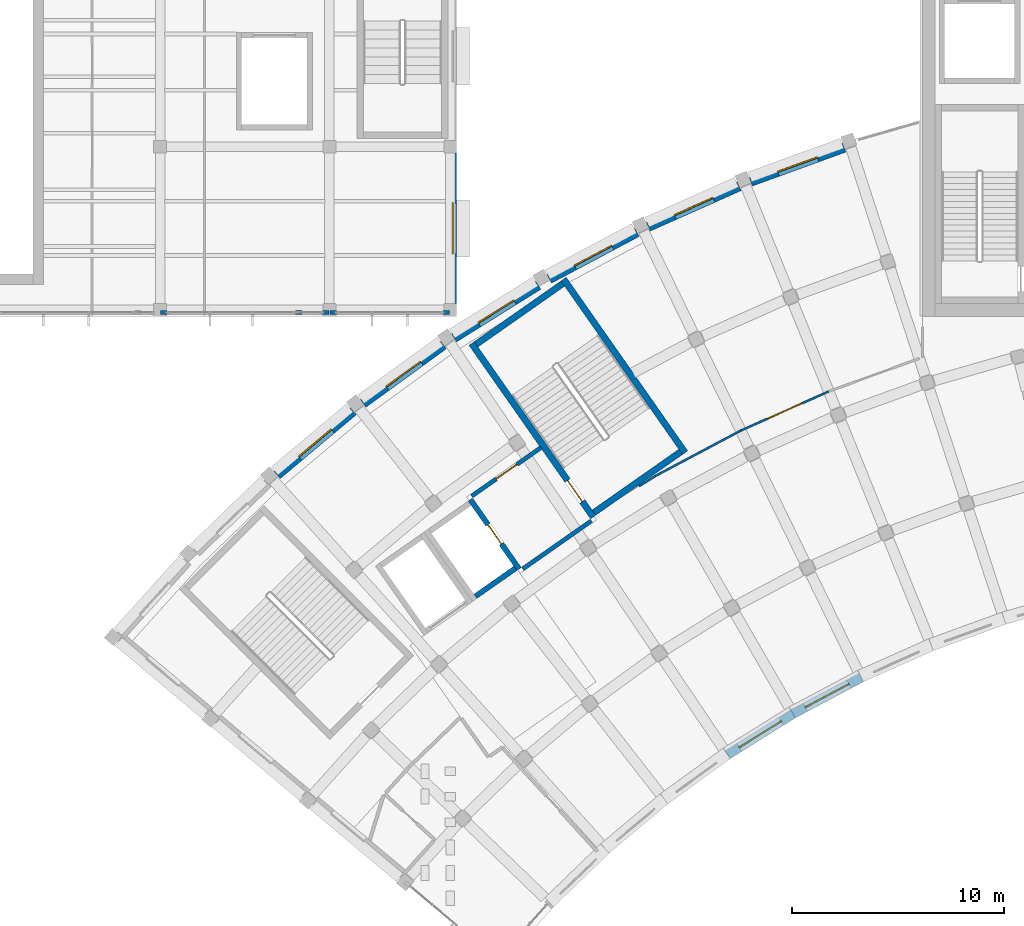
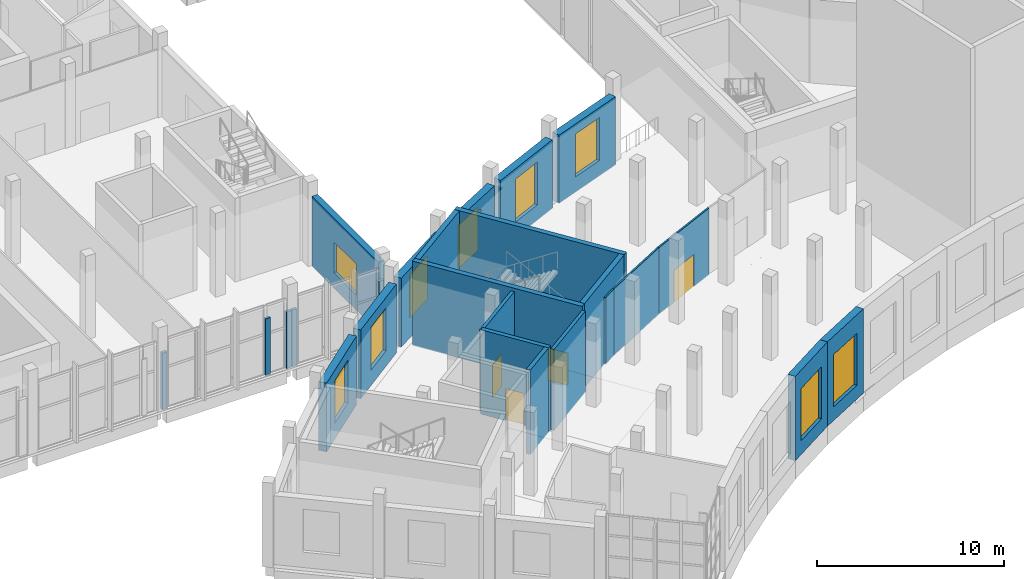
# One storey, part 32 of 87: 25 walls, 9 windows, 4 doors, 13 openings.
"""IFC4 building model written with IfcOpenShell, lengths in metres."""

from ifc_helpers import new_model, si_unit, direction, frame, frame_2d, origin, place, context, subcontext, project, spatial, rectangle, extrude, material, layer, layer_set, type_object, element, fill, save


model = new_model("IFC4")

# Units and contexts
model_context = context("Model", 3, precision=1e-05, world=origin(), true_north=direction((0.0, 1.0)))
body_context = subcontext(model_context, "Body", "Model", "MODEL_VIEW")
ifc_project = project(units=[si_unit("LENGTHUNIT", "METRE"), si_unit("AREAUNIT", "SQUARE_METRE"), si_unit("VOLUMEUNIT", "CUBIC_METRE"), si_unit("PLANEANGLEUNIT", "RADIAN"), si_unit("MASSUNIT", "GRAM", prefix="KILO")], contexts=[model_context])

# Site, building, storey
site_placement = place(None, origin())
site = spatial("IfcSite", under=ifc_project, at=site_placement, CompositionType="ELEMENT")
building_placement = place(site_placement, origin())
building = spatial("IfcBuilding", under=site, at=building_placement, Name="Lunette Opera House", CompositionType="ELEMENT")
storey_placement = place(building_placement, frame((0.0, 0.0, 11.5)))
storey = spatial("IfcBuildingStorey", under=building, at=storey_placement, Name="L02", CompositionType="ELEMENT", Elevation=11.5)

# Wall, opening, window
ifc_material_1 = material(Name="Clinker brick", Category="masonry")
ifc_layer_1 = layer(ifc_material_1, 0.449951171875)
ifc_layer_set_1 = layer_set([ifc_layer_1], Name="Clinker brick")
wall_type_1 = type_object("IfcWallType", Name="ARM RAIN SCREEN WALL 450", PredefinedType="SOLIDWALL", material=ifc_layer_set_1)
wall_1_placement = place(storey_placement, frame((45.527099609375, 56.5048828125, 0.0), z_axis=(0.0, 0.0, 1.0), x_axis=(0.765928460401, 0.642925807187, 0.0)))
wall_1 = element("IfcWall", 1, at=wall_1_placement, inside=storey, type_object=wall_type_1, Name="Arm Rain Screen Wall 450 BW-CW03 L02", PredefinedType="SOLIDWALL", context=body_context, shape_type="SweptSolid", body=[
    extrude(rectangle(XDim=4.688232421875, YDim=0.449951171875, at=frame_2d((2.34423828125, 0.0))), origin(), (0.0, 0.0, 1.0), 4.47998046875),
])
opening_1_placement = place(wall_1_placement, frame((1.343994140625, 0.0, 1.0)))
opening_1 = element("IfcOpeningElement", 2, at=opening_1_placement, cuts=wall_1, Name="Opening FC-N2118", PredefinedType="OPENING", context=body_context, shape_type="SweptSolid", body=[
    extrude(rectangle(XDim=2.0, YDim=2.800048828125, at=frame_2d((1.0, 1.39990234375))), frame((0.0, 0.237060546875, 0.0), z_axis=(0.0, -1.0, 0.0), x_axis=(1.0, 0.0, 0.0)), (0.0, 0.0, 1.0), 0.473876953125),
])
ifc_material_2 = material(Name="Aluminium", Category="aluminium")
window_type_1 = type_object("IfcWindowType", Name="ARM WINDOW 2000 X 2800", PartitioningType="DOUBLE_PANEL_VERTICAL", PredefinedType="WINDOW", material=ifc_material_2)
window_1_placement = place(opening_1_placement, origin())
window_1 = element("IfcWindow", 3, at=window_1_placement, inside=storey, type_object=window_type_1, Name="Arm Window 2000 X 2800 BW-CW03 L02", OverallHeight=2.800048828125, OverallWidth=2.0, PartitioningType="DOUBLE_PANEL_VERTICAL", PredefinedType="WINDOW", context=body_context, shape_type="SweptSolid", body=[
    extrude(rectangle(XDim=2.0, YDim=2.800048828125, at=frame_2d((1.0, 1.39990234375))), frame((0.0, 0.030029296875, 0.0), z_axis=(0.0, -1.0, 0.0), x_axis=(1.0, 0.0, 0.0)), (0.0, 0.0, 1.0), 0.06005859375),
])
fill(opening_1, window_1)

wall_2_placement = place(storey_placement, frame((49.591064453125, 59.887939453125, 0.0), z_axis=(0.0, 0.0, 1.0), x_axis=(0.808981453193, 0.587834167423, 0.0)))
wall_2 = element("IfcWall", 4, at=wall_2_placement, inside=storey, type_object=wall_type_1, Name="Arm Rain Screen Wall 450 BW-CW04 L02", PredefinedType="SOLIDWALL", context=body_context, shape_type="SweptSolid", body=[
    extrude(rectangle(XDim=4.6884765625, YDim=0.449951171875, at=frame_2d((2.34423828125, 0.0))), origin(), (0.0, 0.0, 1.0), 4.47998046875),
])
opening_2_placement = place(wall_2_placement, frame((1.343994140625, 0.0, 1.0)))
opening_2 = element("IfcOpeningElement", 5, at=opening_2_placement, cuts=wall_2, Name="Opening FC-N2123", PredefinedType="OPENING", context=body_context, shape_type="SweptSolid", body=[
    extrude(rectangle(XDim=2.0, YDim=2.800048828125, at=frame_2d((1.0, 1.39990234375))), frame((0.0, 0.237060546875, 0.0), z_axis=(0.0, -1.0, 0.0), x_axis=(1.0, 0.0, 0.0)), (0.0, 0.0, 1.0), 0.473876953125),
])
window_2_placement = place(opening_2_placement, origin())
window_2 = element("IfcWindow", 6, at=window_2_placement, inside=storey, type_object=window_type_1, Name="Arm Window 2000 X 2800 BW-CW04 L02", OverallHeight=2.800048828125, OverallWidth=2.0, PartitioningType="DOUBLE_PANEL_VERTICAL", PredefinedType="WINDOW", context=body_context, shape_type="SweptSolid", body=[
    extrude(rectangle(XDim=2.0, YDim=2.800048828125, at=frame_2d((1.0, 1.39990234375))), frame((0.0, 0.030029296875, 0.0), z_axis=(0.0, -1.0, 0.0), x_axis=(1.0, 0.0, 0.0)), (0.0, 0.0, 1.0), 0.06005859375),
])
fill(opening_2, window_2)

wall_3_placement = place(storey_placement, frame((53.881103515625, 62.97900390625, 0.0), z_axis=(0.0, 0.0, 1.0), x_axis=(0.848094792162, 0.529844527676, 0.0)))
wall_3 = element("IfcWall", 7, at=wall_3_placement, inside=storey, type_object=wall_type_1, Name="Arm Rain Screen Wall 450 BW-CW05 L02", PredefinedType="SOLIDWALL", context=body_context, shape_type="SweptSolid", body=[
    extrude(rectangle(XDim=4.690185546875, YDim=0.449951171875, at=frame_2d((2.34521484375, 0.0))), origin(), (0.0, 0.0, 1.0), 4.47998046875),
])
opening_3_placement = place(wall_3_placement, frame((1.344970703125, 0.0, 1.0)))
opening_3 = element("IfcOpeningElement", 8, at=opening_3_placement, cuts=wall_3, Name="Opening FC-N2127", PredefinedType="OPENING", context=body_context, shape_type="SweptSolid", body=[
    extrude(rectangle(XDim=2.0, YDim=2.800048828125, at=frame_2d((1.0, 1.39990234375))), frame((0.0, 0.237060546875, 0.0), z_axis=(0.0, -1.0, 0.0), x_axis=(1.0, 0.0, 0.0)), (0.0, 0.0, 1.0), 0.473876953125),
])
window_3_placement = place(opening_3_placement, origin())
window_3 = element("IfcWindow", 9, at=window_3_placement, inside=storey, type_object=window_type_1, Name="Arm Window 2000 X 2800 BW-CW05 L02", OverallHeight=2.800048828125, OverallWidth=2.0, PartitioningType="DOUBLE_PANEL_VERTICAL", PredefinedType="WINDOW", context=body_context, shape_type="SweptSolid", body=[
    extrude(rectangle(XDim=2.0, YDim=2.800048828125, at=frame_2d((1.0, 1.39990234375))), frame((0.0, 0.030029296875, 0.0), z_axis=(0.0, -1.0, 0.0), x_axis=(1.0, 0.0, 0.0)), (0.0, 0.0, 1.0), 0.06005859375),
])
fill(opening_3, window_3)

wall_4_placement = place(storey_placement, frame((58.3779296875, 65.763916015625, 0.0), z_axis=(0.0, 0.0, 1.0), x_axis=(0.882917406039, 0.469528331535, 0.0)))
wall_4 = element("IfcWall", 10, at=wall_4_placement, inside=storey, type_object=wall_type_1, Name="Arm Rain Screen Wall 450 BW-CW06 L02", PredefinedType="SOLIDWALL", context=body_context, shape_type="SweptSolid", body=[
    extrude(rectangle(XDim=4.68798828125, YDim=0.449951171875, at=frame_2d((2.343994140625, 0.0))), origin(), (0.0, 0.0, 1.0), 4.47998046875),
])
opening_4_placement = place(wall_4_placement, frame((1.343994140625, 0.0, 1.0)))
opening_4 = element("IfcOpeningElement", 11, at=opening_4_placement, cuts=wall_4, Name="Opening FC-N2132", PredefinedType="OPENING", context=body_context, shape_type="SweptSolid", body=[
    extrude(rectangle(XDim=2.0, YDim=2.800048828125, at=frame_2d((1.0, 1.39990234375))), frame((0.0, 0.237060546875, 0.0), z_axis=(0.0, -1.0, 0.0), x_axis=(1.0, 0.0, 0.0)), (0.0, 0.0, 1.0), 0.473876953125),
])
window_4_placement = place(opening_4_placement, origin())
window_4 = element("IfcWindow", 12, at=window_4_placement, inside=storey, type_object=window_type_1, Name="Arm Window 2000 X 2800 BW-CW06 L02", OverallHeight=2.800048828125, OverallWidth=2.0, PartitioningType="DOUBLE_PANEL_VERTICAL", PredefinedType="WINDOW", context=body_context, shape_type="SweptSolid", body=[
    extrude(rectangle(XDim=2.0, YDim=2.800048828125, at=frame_2d((1.0, 1.39990234375))), frame((0.0, 0.030029296875, 0.0), z_axis=(0.0, -1.0, 0.0), x_axis=(1.0, 0.0, 0.0)), (0.0, 0.0, 1.0), 0.06005859375),
])
fill(opening_4, window_4)

wall_5_placement = place(storey_placement, frame((63.055908203125, 68.22802734375, 0.0), z_axis=(0.0, 0.0, 1.0), x_axis=(0.913581686159, 0.406655262741, 0.0)))
wall_5 = element("IfcWall", 13, at=wall_5_placement, inside=storey, type_object=wall_type_1, Name="Arm Rain Screen Wall 450 BW-CW07 L02", PredefinedType="SOLIDWALL", context=body_context, shape_type="SweptSolid", body=[
    extrude(rectangle(XDim=4.689453125, YDim=0.449951171875, at=frame_2d((2.3447265625, 0.0))), origin(), (0.0, 0.0, 1.0), 4.47998046875),
])
opening_5_placement = place(wall_5_placement, frame((1.344970703125, 0.0, 1.0)))
opening_5 = element("IfcOpeningElement", 14, at=opening_5_placement, cuts=wall_5, Name="Opening FC-N2137", PredefinedType="OPENING", context=body_context, shape_type="SweptSolid", body=[
    extrude(rectangle(XDim=2.0, YDim=2.800048828125, at=frame_2d((1.0, 1.39990234375))), frame((0.0, 0.237060546875, 0.0), z_axis=(0.0, -1.0, 0.0), x_axis=(1.0, 0.0, 0.0)), (0.0, 0.0, 1.0), 0.473876953125),
])
window_5_placement = place(opening_5_placement, origin())
window_5 = element("IfcWindow", 15, at=window_5_placement, inside=storey, type_object=window_type_1, Name="Arm Window 2000 X 2800 BW-CW07 L02", OverallHeight=2.800048828125, OverallWidth=2.0, PartitioningType="DOUBLE_PANEL_VERTICAL", PredefinedType="WINDOW", context=body_context, shape_type="SweptSolid", body=[
    extrude(rectangle(XDim=2.0, YDim=2.800048828125, at=frame_2d((1.0, 1.39990234375))), frame((0.0, 0.030029296875, 0.0), z_axis=(0.0, -1.0, 0.0), x_axis=(1.0, 0.0, 0.0)), (0.0, 0.0, 1.0), 0.06005859375),
])
fill(opening_5, window_5)

wall_6_placement = place(storey_placement, frame((67.89599609375, 70.360107421875, 0.0), z_axis=(0.0, 0.0, 1.0), x_axis=(0.939752366856, 0.341855947715, 0.0)))
wall_6 = element("IfcWall", 16, at=wall_6_placement, inside=storey, type_object=wall_type_1, Name="Arm Rain Screen Wall 450 BW-CW08 L02", PredefinedType="SOLIDWALL", context=body_context, shape_type="SweptSolid", body=[
    extrude(rectangle(XDim=4.6884765625, YDim=0.449951171875, at=frame_2d((2.34423828125, 0.0))), origin(), (0.0, 0.0, 1.0), 4.449951171875),
])
opening_6_placement = place(wall_6_placement, frame((1.343994140625, 0.0, 1.0)))
opening_6 = element("IfcOpeningElement", 17, at=opening_6_placement, cuts=wall_6, Name="Opening FC-N2141", PredefinedType="OPENING", context=body_context, shape_type="SweptSolid", body=[
    extrude(rectangle(XDim=2.0, YDim=2.800048828125, at=frame_2d((1.0, 1.39990234375))), frame((0.0, 0.237060546875, 0.0), z_axis=(0.0, -1.0, 0.0), x_axis=(1.0, 0.0, 0.0)), (0.0, 0.0, 1.0), 0.473876953125),
])
window_6_placement = place(opening_6_placement, origin())
window_6 = element("IfcWindow", 18, at=window_6_placement, inside=storey, type_object=window_type_1, Name="Arm Window 2000 X 2800 BW-CW08 L02", OverallHeight=2.800048828125, OverallWidth=2.0, PartitioningType="DOUBLE_PANEL_VERTICAL", PredefinedType="WINDOW", context=body_context, shape_type="SweptSolid", body=[
    extrude(rectangle(XDim=2.0, YDim=2.800048828125, at=frame_2d((1.0, 1.39990234375))), frame((0.0, 0.030029296875, 0.0), z_axis=(0.0, -1.0, 0.0), x_axis=(1.0, 0.0, 0.0)), (0.0, 0.0, 1.0), 0.06005859375),
])
fill(opening_6, window_6)

ifc_material_3 = material(Name="Clinker brick", Category="masonry")
ifc_layer_2 = layer(ifc_material_3, 0.449951171875)
ifc_layer_set_2 = layer_set([ifc_layer_2], Name="Clinker brick")
wall_type_2 = type_object("IfcWallType", Name="CRESCENT BRICK WALL 450", PredefinedType="SOLIDWALL", material=ifc_layer_set_2)
wall_7_placement = place(storey_placement, frame((66.7958984375, 43.2958984375, 0.0), z_axis=(0.0, 0.0, 1.0), x_axis=(0.848047203697, 0.529920692464, 0.0)))
wall_7 = element("IfcWall", 19, at=wall_7_placement, inside=storey, type_object=wall_type_2, Name="Crescent Brick Wall 450 BW-A04 L02", PredefinedType="SOLIDWALL", context=body_context, shape_type="SweptSolid", body=[
    extrude(rectangle(XDim=3.64599609375, YDim=0.449951171875, at=frame_2d((1.822998046875, 0.0))), origin(), (0.0, 0.0, 1.0), 5.5),
])
opening_7_placement = place(wall_7_placement, frame((0.653076171875, 0.0, 0.89990234375)))
opening_7 = element("IfcOpeningElement", 20, at=opening_7_placement, cuts=wall_7, Name="Opening FC-N2010", PredefinedType="OPENING", context=body_context, shape_type="SweptSolid", body=[
    extrude(rectangle(XDim=2.340087890625, YDim=3.39990234375, at=frame_2d((1.169921875, 1.699951171875))), frame((0.0, 0.237060546875, 0.0), z_axis=(0.0, -1.0, 0.0), x_axis=(1.0, 0.0, 0.0)), (0.0, 0.0, 1.0), 0.473876953125),
])
ifc_material_4 = material(Name="Aluminium", Category="aluminium")
window_type_2 = type_object("IfcWindowType", Name="CHICAGO WINDOW 2340 X 3400", PartitioningType="TRIPLE_PANEL_VERTICAL", PredefinedType="WINDOW", material=ifc_material_4)
window_7_placement = place(opening_7_placement, origin())
window_7 = element("IfcWindow", 21, at=window_7_placement, inside=storey, type_object=window_type_2, Name="Chicago Window 2340 X 3400 BW-A04 L02", OverallHeight=3.39990234375, OverallWidth=2.340087890625, PartitioningType="TRIPLE_PANEL_VERTICAL", PredefinedType="WINDOW", context=body_context, shape_type="SweptSolid", body=[
    extrude(rectangle(XDim=2.340087890625, YDim=3.39990234375, at=frame_2d((1.169921875, 1.699951171875))), frame((0.0, 0.030029296875, 0.0), z_axis=(0.0, -1.0, 0.0), x_axis=(1.0, 0.0, 0.0)), (0.0, 0.0, 1.0), 0.06005859375),
])
fill(opening_7, window_7)

wall_8_placement = place(storey_placement, frame((69.887939453125, 45.22802734375, 0.0), z_axis=(0.0, 0.0, 1.0), x_axis=(0.882849344925, 0.469656293651, 0.0)))
wall_8 = element("IfcWall", 22, at=wall_8_placement, inside=storey, type_object=wall_type_2, Name="Crescent Brick Wall 450 BW-A05 L02", PredefinedType="SOLIDWALL", context=body_context, shape_type="SweptSolid", body=[
    extrude(rectangle(XDim=3.64501953125, YDim=0.449951171875, at=frame_2d((1.822509765625, 0.0))), origin(), (0.0, 0.0, 1.0), 5.5),
])
opening_8_placement = place(wall_8_placement, frame((0.653076171875, 0.0, 0.89990234375)))
opening_8 = element("IfcOpeningElement", 23, at=opening_8_placement, cuts=wall_8, Name="Opening FC-N2013", PredefinedType="OPENING", context=body_context, shape_type="SweptSolid", body=[
    extrude(rectangle(XDim=2.340087890625, YDim=3.39990234375, at=frame_2d((1.169921875, 1.699951171875))), frame((0.0, 0.237060546875, 0.0), z_axis=(0.0, -1.0, 0.0), x_axis=(1.0, 0.0, 0.0)), (0.0, 0.0, 1.0), 0.473876953125),
])
window_8_placement = place(opening_8_placement, origin())
window_8 = element("IfcWindow", 24, at=window_8_placement, inside=storey, type_object=window_type_2, Name="Chicago Window 2340 X 3400 BW-A05 L02", OverallHeight=3.39990234375, OverallWidth=2.340087890625, PartitioningType="TRIPLE_PANEL_VERTICAL", PredefinedType="WINDOW", context=body_context, shape_type="SweptSolid", body=[
    extrude(rectangle(XDim=2.340087890625, YDim=3.39990234375, at=frame_2d((1.169921875, 1.699951171875))), frame((0.0, 0.030029296875, 0.0), z_axis=(0.0, -1.0, 0.0), x_axis=(1.0, 0.0, 0.0)), (0.0, 0.0, 1.0), 0.06005859375),
])
fill(opening_8, window_8)

# Walls
ifc_material_5 = material(Name="Insulated aluminium sandwich panel", Category="aluminium")
ifc_layer_3 = layer(ifc_material_5, 0.179931640625)
ifc_layer_set_3 = layer_set([ifc_layer_3], Name="Insulated aluminium sandwich panel")
wall_type_3 = type_object("IfcWallType", Name="CURTAIN WALL INFILL 180", PredefinedType="SOLIDWALL", material=ifc_layer_set_3)
wall_9_placement = place(storey_placement, frame((46.39404296875, 64.18310546875, 0.0), z_axis=(0.0, 0.0, 1.0), x_axis=(1.0, 0.0, 0.0)))
element("IfcWall", 25, at=wall_9_placement, inside=storey, type_object=wall_type_3, Name="Curtain Wall Infill 180 IN80 L02", PredefinedType="SOLIDWALL", context=body_context, shape_type="SweptSolid", body=[
    extrude(rectangle(XDim=0.304931640625, YDim=0.179931640625, at=frame_2d((0.15234375, 0.0))), origin(), (0.0, 0.0, 1.0), 3.699951171875),
])
for number, where, z_axis, x_axis, name in (
    (26, (40.330078125, 64.18310546875, 0.0), (0.0, 0.0, 1.0), (-1.0, 0.0, 0.0), "Curtain Wall Infill 180 IN81 L02"),
    (27, (47.669921875, 64.18310546875, 0.0), (0.0, 0.0, 1.0), (1.0, 0.0, 0.0), "Curtain Wall Infill 180 IN82 L02"),
):
    element("IfcWall", number, at=place(storey_placement, frame(where, z_axis=z_axis, x_axis=x_axis)), inside=storey, type_object=wall_type_3, Name=name, PredefinedType="SOLIDWALL", context=body_context, shape_type="SweptSolid", body=[
        extrude(rectangle(XDim=0.30517578125, YDim=0.179931640625, at=frame_2d((0.152587890625, 0.0))), origin(), (0.0, 0.0, 1.0), 3.699951171875),
    ])
wall_10_placement = place(storey_placement, frame((53.3701171875, 64.18310546875, 0.0), z_axis=(0.0, 0.0, 1.0), x_axis=(1.0, 0.0, 0.0)))
element("IfcWall", 28, at=wall_10_placement, inside=storey, type_object=wall_type_3, Name="Curtain Wall Infill 180 IN83 L02", PredefinedType="SOLIDWALL", context=body_context, shape_type="SweptSolid", body=[
    extrude(rectangle(XDim=0.304931640625, YDim=0.179931640625, at=frame_2d((0.15234375, 0.0))), origin(), (0.0, 0.0, 1.0), 3.699951171875),
])
wall_11_placement = place(storey_placement, frame((48.330078125, 64.18310546875, 0.0), z_axis=(0.0, 0.0, 1.0), x_axis=(-1.0, 0.0, 0.0)))
element("IfcWall", 29, at=wall_11_placement, inside=storey, type_object=wall_type_3, Name="Curtain Wall Infill 180 IN84 L02", PredefinedType="SOLIDWALL", context=body_context, shape_type="SweptSolid", body=[
    extrude(rectangle(XDim=0.30517578125, YDim=0.179931640625, at=frame_2d((0.152587890625, 0.0))), origin(), (0.0, 0.0, 1.0), 3.699951171875),
])

# Wall, opening, door
ifc_material_6 = material(Name="Concrete C35/45", Category="concrete")
ifc_layer_4 = layer(ifc_material_6, 0.199951171875)
ifc_layer_set_4 = layer_set([ifc_layer_4], Name="Concrete C35/45")
wall_type_4 = type_object("IfcWallType", Name="LOBBY WALL 200", PredefinedType="PARTITIONING", material=ifc_layer_set_4)
wall_12_placement = place(storey_placement, frame((57.98388671875, 57.797119140625, 0.0), z_axis=(0.0, 0.0, 1.0), x_axis=(-0.819125561737, -0.573614255497, 0.0)))
wall_12 = element("IfcWall", 30, at=wall_12_placement, inside=storey, type_object=wall_type_4, Name="FL2 lobby wall 2a", PredefinedType="PARTITIONING", context=body_context, shape_type="SweptSolid", body=[
    extrude(rectangle(XDim=3.990478515625, YDim=0.199951171875, at=frame_2d((1.9951171875, 0.0))), origin(), (0.0, 0.0, 1.0), 5.280029296875),
])
opening_9_placement = place(wall_12_placement, frame((1.3798828125, 0.0, 0.0)))
opening_9 = element("IfcOpeningElement", 31, at=opening_9_placement, cuts=wall_12, Name="Opening FC-D7034", PredefinedType="OPENING", context=body_context, shape_type="SweptSolid", body=[
    extrude(rectangle(XDim=1.199951171875, YDim=2.10009765625, at=frame_2d((0.60009765625, 1.050048828125))), frame((0.0, 0.112060546875, 0.0), z_axis=(0.0, -1.0, 0.0), x_axis=(1.0, 0.0, 0.0)), (0.0, 0.0, 1.0), 0.223876953125),
])
ifc_material_7 = material(Name="Steel", Category="steel")
door_type_1 = type_object("IfcDoorType", Name="FIRE DOOR 1200 X 2100", OperationType="SINGLE_SWING_LEFT", PredefinedType="DOOR", material=ifc_material_7)
door_1_placement = place(opening_9_placement, origin())
door_1 = element("IfcDoor", 32, at=door_1_placement, inside=storey, type_object=door_type_1, Name="FL2 lobby door", OperationType="SINGLE_SWING_LEFT", OverallHeight=2.10009765625, OverallWidth=1.199951171875, PredefinedType="DOOR", context=body_context, shape_type="SweptSolid", body=[
    extrude(rectangle(XDim=1.199951171875, YDim=2.10009765625, at=frame_2d((0.60009765625, 1.050048828125))), frame((0.0, 0.02490234375, 0.0), z_axis=(0.0, -1.0, 0.0), x_axis=(1.0, 0.0, 0.0)), (0.0, 0.0, 1.0), 0.050048828125),
])
fill(opening_9, door_1)

# Wall
wall_13_placement = place(storey_placement, frame((57.125, 52.069091796875, 0.0), z_axis=(0.0, 0.0, 1.0), x_axis=(0.81911891796, 0.573623742744, 0.0)))
element("IfcWall", 33, at=wall_13_placement, inside=storey, type_object=wall_type_4, Name="FL2 lobby wall 4a", PredefinedType="PARTITIONING", context=body_context, shape_type="SweptSolid", body=[
    extrude(rectangle(XDim=3.958984375, YDim=0.199951171875, at=frame_2d((1.9794921875, 0.0))), origin(), (0.0, 0.0, 1.0), 5.280029296875),
])

# Wall, opening, door
ifc_material_8 = material(Name="Concrete C35/45", Category="concrete")
ifc_layer_5 = layer(ifc_material_8, 0.25)
ifc_layer_set_5 = layer_set([ifc_layer_5], Name="Concrete C35/45")
wall_type_5 = type_object("IfcWallType", Name="RC LIFT SHAFT WALL 250", PredefinedType="SOLIDWALL", material=ifc_layer_set_5)
wall_14_placement = place(storey_placement, frame((56.948974609375, 52.06689453125, 0.0), z_axis=(0.0, 0.0, 1.0), x_axis=(-0.573736768582, 0.819039755065, 0.0)))
wall_14 = element("IfcWall", 34, at=wall_14_placement, inside=storey, type_object=wall_type_5, Name="FL2 shaft wall 1", PredefinedType="SOLIDWALL", context=body_context, shape_type="SweptSolid", body=[
    extrude(rectangle(XDim=4.0, YDim=0.25, at=frame_2d((2.0, 0.0))), origin(), (0.0, 0.0, 1.0), 5.5),
])
opening_10_placement = place(wall_14_placement, frame((1.449951171875, 0.0, 0.0)))
opening_10 = element("IfcOpeningElement", 35, at=opening_10_placement, cuts=wall_14, Name="Opening FC-LD010", PredefinedType="OPENING", context=body_context, shape_type="SweptSolid", body=[
    extrude(rectangle(XDim=1.10009765625, YDim=2.10009765625, at=frame_2d((0.550048828125, 1.050048828125))), frame((0.0, 0.136962890625, 0.0), z_axis=(0.0, -1.0, 0.0), x_axis=(1.0, 0.0, 0.0)), (0.0, 0.0, 1.0), 0.27392578125),
])
ifc_material_9 = material(Name="Stainless steel", Category="steel")
door_type_2 = type_object("IfcDoorType", Name="LIFT LANDING DOOR 1100 X 2100", OperationType="DOUBLE_DOOR_SLIDING", PredefinedType="DOOR", material=ifc_material_9)
door_2_placement = place(opening_10_placement, origin())
door_2 = element("IfcDoor", 36, at=door_2_placement, inside=storey, type_object=door_type_2, Name="FL2 lift landing door", OperationType="DOUBLE_DOOR_SLIDING", OverallHeight=2.10009765625, OverallWidth=1.10009765625, PredefinedType="DOOR", context=body_context, shape_type="SweptSolid", body=[
    extrude(rectangle(XDim=1.10009765625, YDim=2.10009765625, at=frame_2d((0.550048828125, 1.050048828125))), frame((0.0, 0.02490234375, 0.0), z_axis=(0.0, -1.0, 0.0), x_axis=(1.0, 0.0, 0.0)), (0.0, 0.0, 1.0), 0.050048828125),
])
fill(opening_10, door_2)

# Walls
wall_15_placement = place(storey_placement, frame((54.889892578125, 50.779052734375, 0.0), z_axis=(0.0, 0.0, 1.0), x_axis=(0.819366508838, 0.573270027295, 0.0)))
element("IfcWall", 37, at=wall_15_placement, inside=storey, type_object=wall_type_5, Name="FL2 shaft wall 4", PredefinedType="SOLIDWALL", context=body_context, shape_type="SweptSolid", body=[
    extrude(rectangle(XDim=2.300537109375, YDim=0.25, at=frame_2d((1.150390625, 0.0))), origin(), (0.0, 0.0, 1.0), 5.5),
])
ifc_material_10 = material(Name="Concrete C35/45", Category="concrete")
ifc_layer_6 = layer(ifc_material_10, 0.300048828125)
ifc_layer_set_6 = layer_set([ifc_layer_6], Name="Concrete C35/45")
wall_type_6 = type_object("IfcWallType", Name="RC STAIR ENCLOSURE WALL 300", PredefinedType="SOLIDWALL", material=ifc_layer_set_6)
wall_16_placement = place(storey_placement, frame((64.791015625, 57.55908203125, 0.0), z_axis=(0.0, 0.0, 1.0), x_axis=(-0.573514776444, 0.819195215563, 0.0)))
element("IfcWall", 38, at=wall_16_placement, inside=storey, type_object=wall_type_6, Name="ST2 enclosure wall 1", PredefinedType="SOLIDWALL", context=body_context, shape_type="SweptSolid", body=[
    extrude(rectangle(XDim=10.0, YDim=0.300048828125, at=frame_2d((5.0, 0.0))), origin(), (0.0, 0.0, 1.0), 5.5),
])
wall_17_placement = place(storey_placement, frame((59.01904296875, 65.5419921875, 0.0), z_axis=(0.0, 0.0, 1.0), x_axis=(-0.819160804606, -0.573563925118, 0.0)))
element("IfcWall", 39, at=wall_17_placement, inside=storey, type_object=wall_type_6, Name="ST2 enclosure wall 2", PredefinedType="SOLIDWALL", context=body_context, shape_type="SweptSolid", body=[
    extrude(rectangle(XDim=5.000244140625, YDim=0.300048828125, at=frame_2d((2.5, 0.0))), origin(), (0.0, 0.0, 1.0), 5.5),
])

# Wall, opening, door
wall_18_placement = place(storey_placement, frame((54.714111328125, 62.7109375, 0.0), z_axis=(0.0, 0.0, 1.0), x_axis=(0.573563925118, -0.819160804606, 0.0)))
wall_18 = element("IfcWall", 40, at=wall_18_placement, inside=storey, type_object=wall_type_6, Name="ST2 enclosure wall 3", PredefinedType="SOLIDWALL", context=body_context, shape_type="SweptSolid", body=[
    extrude(rectangle(XDim=10.000244140625, YDim=0.300048828125, at=frame_2d((5.0, 0.0))), origin(), (0.0, 0.0, 1.0), 5.5),
])
opening_11_placement = place(wall_18_placement, frame((7.89990234375, 0.0, 0.0)))
opening_11 = element("IfcOpeningElement", 41, at=opening_11_placement, cuts=wall_18, Name="Opening FC-D7016", PredefinedType="OPENING", context=body_context, shape_type="SweptSolid", body=[
    extrude(rectangle(XDim=1.199951171875, YDim=2.10009765625, at=frame_2d((0.60009765625, 1.050048828125))), frame((0.0, 0.162109375, 0.0), z_axis=(0.0, -1.0, 0.0), x_axis=(1.0, 0.0, 0.0)), (0.0, 0.0, 1.0), 0.323974609375),
])
door_3_placement = place(opening_11_placement, origin())
door_3 = element("IfcDoor", 42, at=door_3_placement, inside=storey, type_object=door_type_1, Name="ST2 stair door", OperationType="SINGLE_SWING_LEFT", OverallHeight=2.10009765625, OverallWidth=1.199951171875, PredefinedType="DOOR", context=body_context, shape_type="SweptSolid", body=[
    extrude(rectangle(XDim=1.199951171875, YDim=2.10009765625, at=frame_2d((0.60009765625, 1.050048828125))), frame((0.0, 0.02490234375, 0.0), z_axis=(0.0, -1.0, 0.0), x_axis=(1.0, 0.0, 0.0)), (0.0, 0.0, 1.0), 0.050048828125),
])
fill(opening_11, door_3)

# Wall
wall_19_placement = place(storey_placement, frame((60.487060546875, 54.72802734375, 0.0), z_axis=(0.0, 0.0, 1.0), x_axis=(0.819096538389, 0.573655698829, 0.0)))
element("IfcWall", 43, at=wall_19_placement, inside=storey, type_object=wall_type_6, Name="ST2 enclosure wall 4", PredefinedType="SOLIDWALL", context=body_context, shape_type="SweptSolid", body=[
    extrude(rectangle(XDim=4.999267578125, YDim=0.300048828125, at=frame_2d((2.49951171875, 0.0))), origin(), (0.0, 0.0, 1.0), 5.5),
])

# Wall, opening, window
ifc_material_11 = material(Name="Clinker brick", Category="masonry")
ifc_layer_7 = layer(ifc_material_11, 0.364990234375)
ifc_layer_set_7 = layer_set([ifc_layer_7], Name="Clinker brick")
wall_type_7 = type_object("IfcWallType", Name="REHEARSAL BRICK WALL 365", PredefinedType="SOLIDWALL", material=ifc_layer_set_7)
wall_20_placement = place(storey_placement, frame((53.818115234375, 64.60009765625, 0.0), z_axis=(0.0, 0.0, 1.0), x_axis=(0.0, 1.0, 0.0)))
wall_20 = element("IfcWall", 44, at=wall_20_placement, inside=storey, type_object=wall_type_7, Name="Rehearsal Brick Wall 365 F01 L02", PredefinedType="SOLIDWALL", context=body_context, shape_type="SweptSolid", body=[
    extrude(rectangle(XDim=7.099853515625, YDim=0.364990234375, at=frame_2d((3.5498046875, 0.0))), origin(), (0.0, 0.0, 1.0), 4.550048828125),
])
opening_12_placement = place(wall_20_placement, frame((2.35009765625, 0.0, 1.0)))
opening_12 = element("IfcOpeningElement", 45, at=opening_12_placement, cuts=wall_20, Name="Opening RW-N2025", PredefinedType="OPENING", context=body_context, shape_type="SweptSolid", body=[
    extrude(rectangle(XDim=2.39990234375, YDim=2.0, at=frame_2d((1.199951171875, 1.0))), frame((0.0, 0.194580078125, 0.0), z_axis=(0.0, -1.0, 0.0), x_axis=(1.0, 0.0, 0.0)), (0.0, 0.0, 1.0), 0.388916015625),
])
ifc_material_12 = material(Name="Aluminium", Category="aluminium")
window_type_3 = type_object("IfcWindowType", Name="REHEARSAL WINDOW 2400 X 2000", PartitioningType="DOUBLE_PANEL_VERTICAL", PredefinedType="WINDOW", material=ifc_material_12)
window_9_placement = place(opening_12_placement, origin())
window_9 = element("IfcWindow", 46, at=window_9_placement, inside=storey, type_object=window_type_3, Name="Rehearsal Window 2400 X 2000 F01 L02", OverallHeight=2.0, OverallWidth=2.39990234375, PartitioningType="DOUBLE_PANEL_VERTICAL", PredefinedType="WINDOW", context=body_context, shape_type="SweptSolid", body=[
    extrude(rectangle(XDim=2.39990234375, YDim=2.0, at=frame_2d((1.199951171875, 1.0))), frame((0.0, 0.030029296875, 0.0), z_axis=(0.0, -1.0, 0.0), x_axis=(1.0, 0.0, 0.0)), (0.0, 0.0, 1.0), 0.06005859375),
])
fill(opening_12, window_9)

# Wall, opening, door
ifc_material_13 = material(Name="Gypsum board on steel studs", Category="steel")
ifc_layer_8 = layer(ifc_material_13, 0.10009765625)
ifc_layer_set_8 = layer_set([ifc_layer_8], Name="Gypsum board on steel studs")
wall_type_8 = type_object("IfcWallType", Name="STUD PARTITION 100", PredefinedType="PARTITIONING", material=ifc_layer_set_8)
wall_21_placement = place(storey_placement, frame((71.575927734375, 60.451904296875, 0.0), z_axis=(0.0, 0.0, 1.0), x_axis=(-0.91357913429, -0.406660995658, 0.0)))
wall_21 = element("IfcWall", 47, at=wall_21_placement, inside=storey, type_object=wall_type_8, Name="Partition Grand Tier Foyer", PredefinedType="PARTITIONING", context=body_context, shape_type="SweptSolid", body=[
    extrude(rectangle(XDim=4.55126953125, YDim=0.10009765625, at=frame_2d((2.275634765625, 0.0))), origin(), (0.0, 0.0, 1.0), 4.35009765625),
])
opening_13_placement = place(wall_21_placement, frame((1.3759765625, 0.0, 0.0)))
opening_13 = element("IfcOpeningElement", 48, at=opening_13_placement, cuts=wall_21, Name="Opening FC-D3035", PredefinedType="OPENING", context=body_context, shape_type="SweptSolid", body=[
    extrude(rectangle(XDim=1.800048828125, YDim=2.10009765625, at=frame_2d((0.89990234375, 1.050048828125))), frame((0.0, 0.06201171875, 0.0), z_axis=(0.0, -1.0, 0.0), x_axis=(1.0, 0.0, 0.0)), (0.0, 0.0, 1.0), 0.1240234375),
])
ifc_material_14 = material(Name="Timber", Category="wood")
door_type_3 = type_object("IfcDoorType", Name="DOUBLE FLUSH DOOR 1800 X 2100", OperationType="DOUBLE_DOOR_SINGLE_SWING", PredefinedType="DOOR", material=ifc_material_14)
door_4_placement = place(opening_13_placement, origin())
door_4 = element("IfcDoor", 49, at=door_4_placement, inside=storey, type_object=door_type_3, Name="Donors' Lounge door", OperationType="DOUBLE_DOOR_SINGLE_SWING", OverallHeight=2.10009765625, OverallWidth=1.800048828125, PredefinedType="DOOR", context=body_context, shape_type="SweptSolid", body=[
    extrude(rectangle(XDim=1.800048828125, YDim=2.10009765625, at=frame_2d((0.89990234375, 1.050048828125))), frame((0.0, 0.02490234375, 0.0), z_axis=(0.0, -1.0, 0.0), x_axis=(1.0, 0.0, 0.0)), (0.0, 0.0, 1.0), 0.050048828125),
])
fill(opening_13, door_4)

# Walls
wall_22_placement = place(storey_placement, frame((67.41796875, 58.60107421875, 0.0), z_axis=(0.0, 0.0, 1.0), x_axis=(-0.882989262106, -0.469393185938, 0.0)))
element("IfcWall", 50, at=wall_22_placement, inside=storey, type_object=wall_type_8, Name="Partition Grand Tier Foyer", PredefinedType="PARTITIONING", context=body_context, shape_type="SweptSolid", body=[
    extrude(rectangle(XDim=4.550537109375, YDim=0.10009765625, at=frame_2d((2.275390625, 0.0))), origin(), (0.0, 0.0, 1.0), 4.35009765625),
])
wall_23_placement = place(storey_placement, frame((63.39990234375, 56.465087890625, 0.0), z_axis=(0.0, 0.0, 1.0), x_axis=(-0.848042980139, -0.529927451484, 0.0)))
element("IfcWall", 51, at=wall_23_placement, inside=storey, type_object=wall_type_8, Name="Partition Grand Tier Foyer", PredefinedType="PARTITIONING", context=body_context, shape_type="SweptSolid", body=[
    extrude(rectangle(XDim=0.9208984375, YDim=0.10009765625, at=frame_2d((0.46044921875, 0.0))), origin(), (0.0, 0.0, 1.0), 4.35009765625),
])

save(model, "model.ifc")
